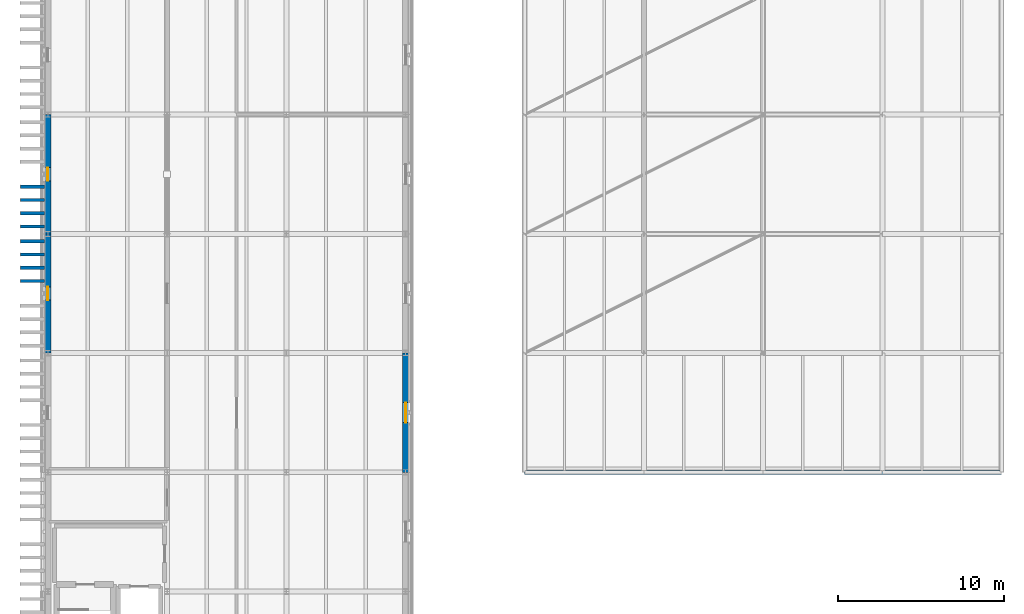
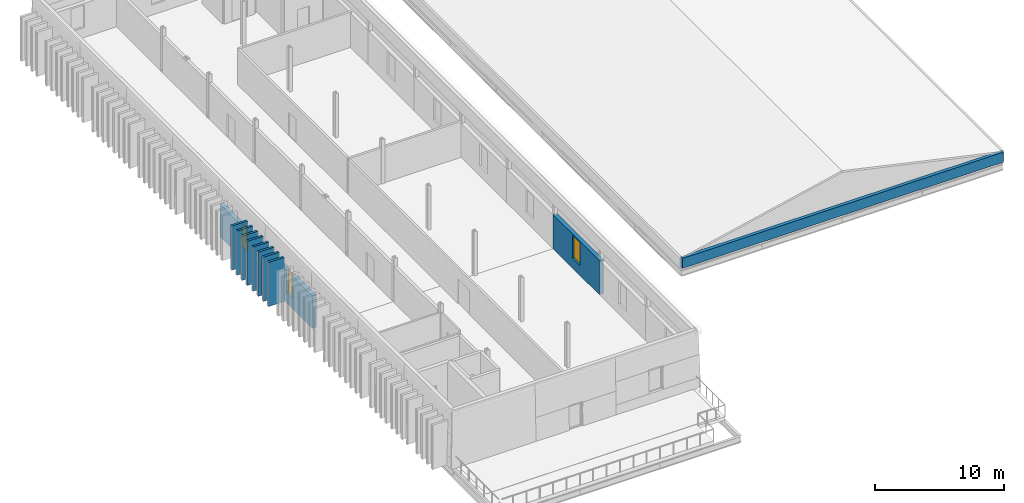
# One storey, part 32 of 44: 12 walls, 3 windows, 3 openings.
"""IFC4 building model written with IfcOpenShell, lengths in metres."""

import ifcopenshell
import ifcopenshell.guid

model = None  # the IFC model being written
_history = None  # IfcOwnerHistory: only IFC2X3 demands one
_inside = {}  # id of a spatial element -> (the spatial element, [elements in it])
_under = {}  # id of a project, library or spatial element -> (it, [spatial elements below it])
_declared = {}  # id of a project -> (the project, [libraries it declares])
_typed = {}  # id of a type object -> (the type object, [elements of that type])
_made_of = {}  # id of a material, layer set ... -> (it, [elements and type objects made of it])


def new_model(schema):
    """Start an empty IFC model of exactly this schema.

    Asked for "IFC4X3", IfcOpenShell would pick the latest addendum, in which some entities
    have other attributes; the version numbers below select the first issue.
    IFC2X3 requires an IfcOwnerHistory on every rooted entity: one is made here for all.
    """
    global model, _history
    if schema == "IFC4X3":
        model = ifcopenshell.file(schema_version=(4, 3, 0, 0))
    else:
        model = ifcopenshell.file(schema=schema)
    _inside.clear()
    _under.clear()
    _declared.clear()
    _typed.clear()
    _made_of.clear()
    _history = None
    if model.schema == "IFC2X3":
        org = make("IfcOrganization", Name="unknown")
        user = make(
            "IfcPersonAndOrganization",
            ThePerson=make("IfcPerson", FamilyName="unknown"),
            TheOrganization=org,
        )
        app = make(
            "IfcApplication",
            ApplicationDeveloper=org,
            Version="unknown",
            ApplicationFullName="unknown",
            ApplicationIdentifier="unknown",
        )
        _history = make(
            "IfcOwnerHistory",
            OwningUser=user,
            OwningApplication=app,
            ChangeAction="ADDED",
            CreationDate=0,
        )
    return model


def make(cls, **values):
    """One entity of the class cls with the attributes given. An attribute that is None is left unset."""
    return model.create_entity(
        cls, **{name: value for name, value in values.items() if value is not None}
    )


def rooted(cls, **values):
    """An entity with a GlobalId (a new one), such as an element, a storey or a relation."""
    return make(cls, GlobalId=ifcopenshell.guid.new(), OwnerHistory=_history, **values)


def si_unit(unit_type, name, prefix=None):
    """IfcSIUnit, for example si_unit("LENGTHUNIT", "METRE", prefix="MILLI")."""
    return make("IfcSIUnit", UnitType=unit_type, Prefix=prefix, Name=name)


def assignment(units):
    """IfcUnitAssignment: the units of a project."""
    return None if units is None else make("IfcUnitAssignment", Units=units)


def point(xyz):
    """IfcCartesianPoint."""
    return None if xyz is None else make("IfcCartesianPoint", Coordinates=xyz)


def direction(xyz):
    """IfcDirection."""
    return None if xyz is None else make("IfcDirection", DirectionRatios=xyz)


def frame(location, z_axis=None, x_axis=None):
    """IfcAxis2Placement3D, a coordinate frame: its origin and axes. An axis left out is left unset."""
    return make(
        "IfcAxis2Placement3D",
        Location=point(location),
        Axis=direction(z_axis),
        RefDirection=direction(x_axis),
    )


def frame_2d(location, x_axis=None):
    """IfcAxis2Placement2D, a coordinate frame in the plane: its origin and x axis."""
    return make(
        "IfcAxis2Placement2D", Location=point(location), RefDirection=direction(x_axis)
    )


def origin():
    """The frame at (0, 0, 0) with its axes left unset."""
    return frame((0.0, 0.0, 0.0))


def place(relative_to, where):
    """IfcLocalPlacement: puts the frame where relative to a parent placement (None: the world)."""
    return make(
        "IfcLocalPlacement", PlacementRelTo=relative_to, RelativePlacement=where
    )


def context(
    kind, dimensions, precision=None, world=None, true_north=None, identifier=None
):
    """IfcGeometricRepresentationContext, for example the 3D "Model" context."""
    return make(
        "IfcGeometricRepresentationContext",
        ContextIdentifier=identifier,
        ContextType=kind,
        CoordinateSpaceDimension=dimensions,
        Precision=precision,
        WorldCoordinateSystem=world,
        TrueNorth=true_north,
    )


def subcontext(parent, identifier, kind, view, scale=None):
    """IfcGeometricRepresentationSubContext, for example "Body" below "Model"."""
    return make(
        "IfcGeometricRepresentationSubContext",
        ContextIdentifier=identifier,
        ContextType=kind,
        ParentContext=parent,
        TargetScale=scale,
        TargetView=view,
    )


def project(units=None, contexts=None):
    """IfcProject with its units and contexts."""
    return rooted(
        "IfcProject",
        Name="project",
        RepresentationContexts=contexts,
        UnitsInContext=assignment(units),
    )


def spatial(cls, under=None, at=None, **own):
    """A site, building, storey or space (cls), placed at a placement, below another one or the project."""
    s = rooted(cls, ObjectPlacement=at, **own)
    if under is not None:
        _under.setdefault(under.id(), (under, []))[1].append(s)
    return s


def profile(cls, at=None, kind="AREA", **sizes):
    """A parametric profile (cls). Its sizes go by their IFC names, for example OverallWidth=200.0."""
    return make(cls, ProfileType=kind, Position=at, **sizes)


def rectangle(**sizes):
    """IfcRectangleProfileDef."""
    return profile("IfcRectangleProfileDef", **sizes)


def extrude(swept, where, along, depth):
    """IfcExtrudedAreaSolid: the profile swept, set in the frame where, extruded along a direction by depth."""
    return make(
        "IfcExtrudedAreaSolid",
        SweptArea=swept,
        Position=where,
        ExtrudedDirection=direction(along),
        Depth=depth,
    )


def shape(context_of_items, identifier, shape_type, items):
    """IfcShapeRepresentation: the items that make up one representation, for example the "Body"."""
    return make(
        "IfcShapeRepresentation",
        ContextOfItems=context_of_items,
        RepresentationIdentifier=identifier,
        RepresentationType=shape_type,
        Items=items,
    )


def material(Name=None, Category=None):
    """IfcMaterial."""
    return make("IfcMaterial", Name=Name, Category=Category)


def layer(
    of_material, thickness, ventilated=None, Name=None, Category=None, Priority=None
):
    """IfcMaterialLayer: one layer of a wall or slab, of a material (None: an air gap)."""
    return make(
        "IfcMaterialLayer",
        Material=of_material,
        LayerThickness=thickness,
        IsVentilated=ventilated,
        Name=Name,
        Category=Category,
        Priority=Priority,
    )


def layer_set(layers, Name=None):
    """IfcMaterialLayerSet."""
    return make("IfcMaterialLayerSet", MaterialLayers=layers, LayerSetName=Name)


def made_of(thing, what):
    """Note that an element or type object is made of a material, layer set ...; save() writes the relation."""
    if what is not None:
        _made_of.setdefault(what.id(), (what, []))[1].append(thing)
    return thing


def type_object(cls, material=None, **own):
    """A type object (cls), such as IfcWallType, which elements share."""
    return made_of(rooted(cls, **own), material)


def element(
    cls,
    number,
    at=None,
    inside=None,
    cuts=None,
    type_object=None,
    material=None,
    context=None,
    identifier="Body",
    shape_type=None,
    held_by="IfcProductDefinitionShape",
    body=None,
    shapes=None,
    **own,
):
    """One element of the class cls, such as IfcWall. Its Tag is "e" and its number.

    at: its placement. inside: the storey or other place that contains it. cuts: it is an
    opening in that element (IfcRelVoidsElement). A single representation is given by context,
    identifier, shape_type and body (its items); several are given by shapes. held_by: the class
    of the entity that holds the representations. save() writes the other relations.
    """
    e = rooted(cls, Tag="e%d" % number, ObjectPlacement=at, **own)
    if body is not None:
        shapes = [shape(context, identifier, shape_type, body)]
    if shapes is not None:
        e.Representation = make(held_by, Representations=shapes)
    if inside is not None:
        _inside.setdefault(inside.id(), (inside, []))[1].append(e)
    if cuts is not None:
        rooted(
            "IfcRelVoidsElement", RelatingBuildingElement=cuts, RelatedOpeningElement=e
        )
    if type_object is not None:
        _typed.setdefault(type_object.id(), (type_object, []))[1].append(e)
    return made_of(e, material)


def fill(opening, filler):
    """IfcRelFillsElement: the door or window that sits in an opening."""
    return rooted(
        "IfcRelFillsElement",
        RelatingOpeningElement=opening,
        RelatedBuildingElement=filler,
    )


def aggregate(whole, parts):
    """IfcRelAggregates: a whole, such as a stair, and the parts it consists of."""
    return rooted("IfcRelAggregates", RelatingObject=whole, RelatedObjects=parts)


def save(model, path):
    """Write the relations noted so far, then the file.

    IfcRelAggregates (storeys below a building ...), IfcRelContainedInSpatialStructure (elements
    in a storey), IfcRelDefinesByType, IfcRelAssociatesMaterial and IfcRelDeclares: one each for
    every whole, place, type object, material and project.
    """
    for whole, parts in _under.values():
        aggregate(whole, parts)
    for where, things in _inside.values():
        rooted(
            "IfcRelContainedInSpatialStructure",
            RelatedElements=things,
            RelatingStructure=where,
        )
    for kind, things in _typed.values():
        rooted("IfcRelDefinesByType", RelatedObjects=things, RelatingType=kind)
    for what, things in _made_of.values():
        rooted("IfcRelAssociatesMaterial", RelatedObjects=things, RelatingMaterial=what)
    for by, libraries in _declared.values():
        rooted("IfcRelDeclares", RelatingContext=by, RelatedDefinitions=libraries)
    model.write(path)


model = new_model("IFC4")

# Units and contexts
model_context = context("Model", 3, precision=1e-05, world=origin(), true_north=direction((0.0, 1.0)))
body_context = subcontext(model_context, "Body", "Model", "MODEL_VIEW")
ifc_project = project(units=[si_unit("LENGTHUNIT", "METRE"), si_unit("AREAUNIT", "SQUARE_METRE"), si_unit("VOLUMEUNIT", "CUBIC_METRE"), si_unit("PLANEANGLEUNIT", "RADIAN"), si_unit("MASSUNIT", "GRAM", prefix="KILO")], contexts=[model_context])

# Site, building, storey
site_placement = place(None, origin())
site = spatial("IfcSite", under=ifc_project, at=site_placement, CompositionType="ELEMENT")
building_placement = place(site_placement, origin())
building = spatial("IfcBuilding", under=site, at=building_placement, Name="Narikvali Park Central Library", CompositionType="ELEMENT")
storey_placement = place(building_placement, frame((0.0, 0.0, 22.800048828125)))
storey = spatial("IfcBuildingStorey", under=building, at=storey_placement, Name="L05", CompositionType="ELEMENT", Elevation=22.800048828125)

# Walls
ifc_material_1 = material(Name="Kiln-Fired Terracotta Red Brick Masonry", Category="masonry")
ifc_layer_1 = layer(ifc_material_1, 0.199951171875, Name="Kiln-Fired Terracotta Red Brick Masonry")
ifc_layer_set_1 = layer_set([ifc_layer_1], Name="Kiln-Fired Terracotta Red Brick Masonry")
wall_type_1 = type_object("IfcWallType", Name="Kiln-Fired Red Brick Vertical Fin Wall 200", PredefinedType="SOLIDWALL", material=ifc_layer_set_1)
for number, where, z_axis, x_axis, name in (
    (1, (-1.659912109375, 69.14990234375, 0.0), (0.0, 0.0, 1.0), (1.0, 0.0, 0.0), "West Stacks Red Brick Vertical Fin Pier 246"),
    (2, (-1.659912109375, 69.949951171875, 0.0), (0.0, 0.0, 1.0), (1.0, 0.0, 0.0), "West Stacks Red Brick Vertical Fin Pier 252"),
    (3, (-1.659912109375, 70.75, 0.0), (0.0, 0.0, 1.0), (1.0, 0.0, 0.0), "West Stacks Red Brick Vertical Fin Pier 258"),
    (4, (-1.659912109375, 71.550048828125, 0.0), (0.0, 0.0, 1.0), (1.0, 0.0, 0.0), "West Stacks Red Brick Vertical Fin Pier 264"),
    (5, (-1.659912109375, 72.449951171875, 0.0), (0.0, 0.0, 1.0), (1.0, 0.0, 0.0), "West Stacks Red Brick Vertical Fin Pier 270"),
    (6, (-1.659912109375, 73.25, 0.0), (0.0, 0.0, 1.0), (1.0, 0.0, 0.0), "West Stacks Red Brick Vertical Fin Pier 276"),
    (7, (-1.659912109375, 74.050048828125, 0.0), (0.0, 0.0, 1.0), (1.0, 0.0, 0.0), "West Stacks Red Brick Vertical Fin Pier 282"),
    (8, (-1.659912109375, 74.85009765625, 0.0), (0.0, 0.0, 1.0), (1.0, 0.0, 0.0), "West Stacks Red Brick Vertical Fin Pier 288"),
):
    element("IfcWall", number, at=place(storey_placement, frame(where, z_axis=z_axis, x_axis=x_axis)), inside=storey, type_object=wall_type_1, Name=name, PredefinedType="SOLIDWALL", context=body_context, shape_type="SweptSolid", body=[
        extrude(rectangle(XDim=1.43994140625, YDim=0.199951171875, at=frame_2d((0.719970703125, 0.0))), origin(), (0.0, 0.0, 1.0), 4.199951171875),
    ])
ifc_material_2 = material(Name="White Honed Limestone over Concrete C35/45", Category="masonry")
ifc_layer_2 = layer(ifc_material_2, 0.300048828125, Name="White Honed Limestone over Concrete C35/45")
ifc_layer_set_2 = layer_set([ifc_layer_2], Name="White Honed Limestone over Concrete C35/45")
wall_type_2 = type_object("IfcWallType", Name="Limestone Coping Parapet Wall 300", PredefinedType="PARAPET", material=ifc_layer_set_2)
wall_1_placement = place(storey_placement, frame((28.800048828125, 57.60009765625, 0.0), z_axis=(0.0, 0.0, 1.0), x_axis=(1.0, 0.0, 0.0)))
element("IfcWall", 9, at=wall_1_placement, inside=storey, type_object=wall_type_2, Name="V4 L05 Roof Limestone Parapet S", PredefinedType="PARAPET", context=body_context, shape_type="SweptSolid", body=[
    extrude(rectangle(XDim=28.800048828125, YDim=0.300048828125, at=frame_2d((14.39990234375, 0.0))), origin(), (0.0, 0.0, 1.0), 0.949951171875),
])

# Wall, opening, window
ifc_layer_3 = layer(ifc_material_2, 0.360107421875, Name="White Honed Limestone over Concrete C35/45")
ifc_layer_set_3 = layer_set([ifc_layer_3], Name="White Honed Limestone over Concrete C35/45")
wall_type_3 = type_object("IfcWallType", Name="White Limestone Attic Clerestory Wall 360", PredefinedType="SOLIDWALL", material=ifc_layer_set_3)
wall_2_placement = place(storey_placement, frame((21.60009765625, 57.60009765625, 0.0), z_axis=(0.0, 0.0, 1.0), x_axis=(0.0, 1.0, 0.0)))
wall_2 = element("IfcWall", 10, at=wall_2_placement, inside=storey, type_object=wall_type_3, Name="V5 L05 E Exterior Limestone Wall B03", PredefinedType="SOLIDWALL", context=body_context, shape_type="SweptSolid", body=[
    extrude(rectangle(XDim=7.199951171875, YDim=0.360107421875, at=frame_2d((3.60009765625, 0.0))), origin(), (0.0, 0.0, 1.0), 3.239990234375),
])
opening_1_placement = place(wall_2_placement, frame((3.0, 0.0, 0.949951171875)))
opening_1 = element("IfcOpeningElement", 11, at=opening_1_placement, cuts=wall_2, Name="Opening WIN-0331", PredefinedType="OPENING", context=body_context, shape_type="SweptSolid", body=[
    extrude(rectangle(XDim=1.199951171875, YDim=2.14990234375, at=frame_2d((0.60009765625, 1.074951171875))), frame((0.0, 0.19189453125, 0.0), z_axis=(0.0, -1.0, 0.0), x_axis=(1.0, 0.0, 0.0)), (0.0, 0.0, 1.0), 0.384033203125),
])
ifc_material_3 = material(Name="Anodised Bronze Aluminium and Low-E Triple Glazing", Category="aluminium")
window_type_1 = type_object("IfcWindowType", Name="Stacks Archive Deep-Reveal Punched Window 1200x2150", PartitioningType="SINGLE_PANEL", PredefinedType="WINDOW", material=ifc_material_3)
window_1_placement = place(opening_1_placement, origin())
window_1 = element("IfcWindow", 12, at=window_1_placement, inside=storey, type_object=window_type_1, Name="V5 L05 E Deep-Reveal Window WIN-0331", OverallHeight=2.14990234375, OverallWidth=1.199951171875, PartitioningType="SINGLE_PANEL", PredefinedType="WINDOW", context=body_context, shape_type="SweptSolid", body=[
    extrude(rectangle(XDim=1.199951171875, YDim=2.14990234375, at=frame_2d((0.60009765625, 1.074951171875))), frame((0.0, 0.030029296875, 0.0), z_axis=(0.0, -1.0, 0.0), x_axis=(1.0, 0.0, 0.0)), (0.0, 0.0, 1.0), 0.06005859375),
])
fill(opening_1, window_1)

wall_3_placement = place(storey_placement, frame((0.0, 79.199951171875, 0.0), z_axis=(0.0, 0.0, 1.0), x_axis=(0.0, -1.0, 0.0)))
wall_3 = element("IfcWall", 13, at=wall_3_placement, inside=storey, type_object=wall_type_3, Name="V5 L05 W Exterior Limestone Wall B05", PredefinedType="SOLIDWALL", context=body_context, shape_type="SweptSolid", body=[
    extrude(rectangle(XDim=7.199951171875, YDim=0.360107421875, at=frame_2d((3.60009765625, 0.0))), origin(), (0.0, 0.0, 1.0), 3.079833984375),
])
opening_2_placement = place(wall_3_placement, frame((3.199951171875, 0.0, 0.949951171875)))
opening_2 = element("IfcOpeningElement", 14, at=opening_2_placement, cuts=wall_3, Name="Opening WIN-0343", PredefinedType="OPENING", context=body_context, shape_type="SweptSolid", body=[
    extrude(rectangle(XDim=0.800048828125, YDim=2.14990234375, at=frame_2d((0.39990234375, 1.074951171875))), frame((0.0, 0.19189453125, 0.0), z_axis=(0.0, -1.0, 0.0), x_axis=(1.0, 0.0, 0.0)), (0.0, 0.0, 1.0), 0.384033203125),
])
window_type_2 = type_object("IfcWindowType", Name="West Fin-Bay Narrow Carrel Slot Window 800x2150", PartitioningType="SINGLE_PANEL", PredefinedType="WINDOW", material=ifc_material_3)
window_2_placement = place(opening_2_placement, origin())
window_2 = element("IfcWindow", 15, at=window_2_placement, inside=storey, type_object=window_type_2, Name="V5 L05 W Deep-Reveal Window WIN-0343", OverallHeight=2.14990234375, OverallWidth=0.800048828125, PartitioningType="SINGLE_PANEL", PredefinedType="WINDOW", context=body_context, shape_type="SweptSolid", body=[
    extrude(rectangle(XDim=0.800048828125, YDim=2.14990234375, at=frame_2d((0.39990234375, 1.074951171875))), frame((0.0, 0.030029296875, 0.0), z_axis=(0.0, -1.0, 0.0), x_axis=(1.0, 0.0, 0.0)), (0.0, 0.0, 1.0), 0.06005859375),
])
fill(opening_2, window_2)

wall_4_placement = place(storey_placement, frame((0.0, 72.0, 0.0), z_axis=(0.0, 0.0, 1.0), x_axis=(0.0, -1.0, 0.0)))
wall_4 = element("IfcWall", 16, at=wall_4_placement, inside=storey, type_object=wall_type_3, Name="V5 L05 W Exterior Limestone Wall B06", PredefinedType="SOLIDWALL", context=body_context, shape_type="SweptSolid", body=[
    extrude(rectangle(XDim=7.199951171875, YDim=0.360107421875, at=frame_2d((3.60009765625, 0.0))), origin(), (0.0, 0.0, 1.0), 3.079833984375),
])
opening_3_placement = place(wall_4_placement, frame((3.199951171875, 0.0, 0.949951171875)))
opening_3 = element("IfcOpeningElement", 17, at=opening_3_placement, cuts=wall_4, Name="Opening WIN-0344", PredefinedType="OPENING", context=body_context, shape_type="SweptSolid", body=[
    extrude(rectangle(XDim=0.800048828125, YDim=2.14990234375, at=frame_2d((0.39990234375, 1.074951171875))), frame((0.0, 0.19189453125, 0.0), z_axis=(0.0, -1.0, 0.0), x_axis=(1.0, 0.0, 0.0)), (0.0, 0.0, 1.0), 0.384033203125),
])
window_3_placement = place(opening_3_placement, origin())
window_3 = element("IfcWindow", 18, at=window_3_placement, inside=storey, type_object=window_type_2, Name="V5 L05 W Deep-Reveal Window WIN-0344", OverallHeight=2.14990234375, OverallWidth=0.800048828125, PartitioningType="SINGLE_PANEL", PredefinedType="WINDOW", context=body_context, shape_type="SweptSolid", body=[
    extrude(rectangle(XDim=0.800048828125, YDim=2.14990234375, at=frame_2d((0.39990234375, 1.074951171875))), frame((0.0, 0.030029296875, 0.0), z_axis=(0.0, -1.0, 0.0), x_axis=(1.0, 0.0, 0.0)), (0.0, 0.0, 1.0), 0.06005859375),
])
fill(opening_3, window_3)

save(model, "model.ifc")
